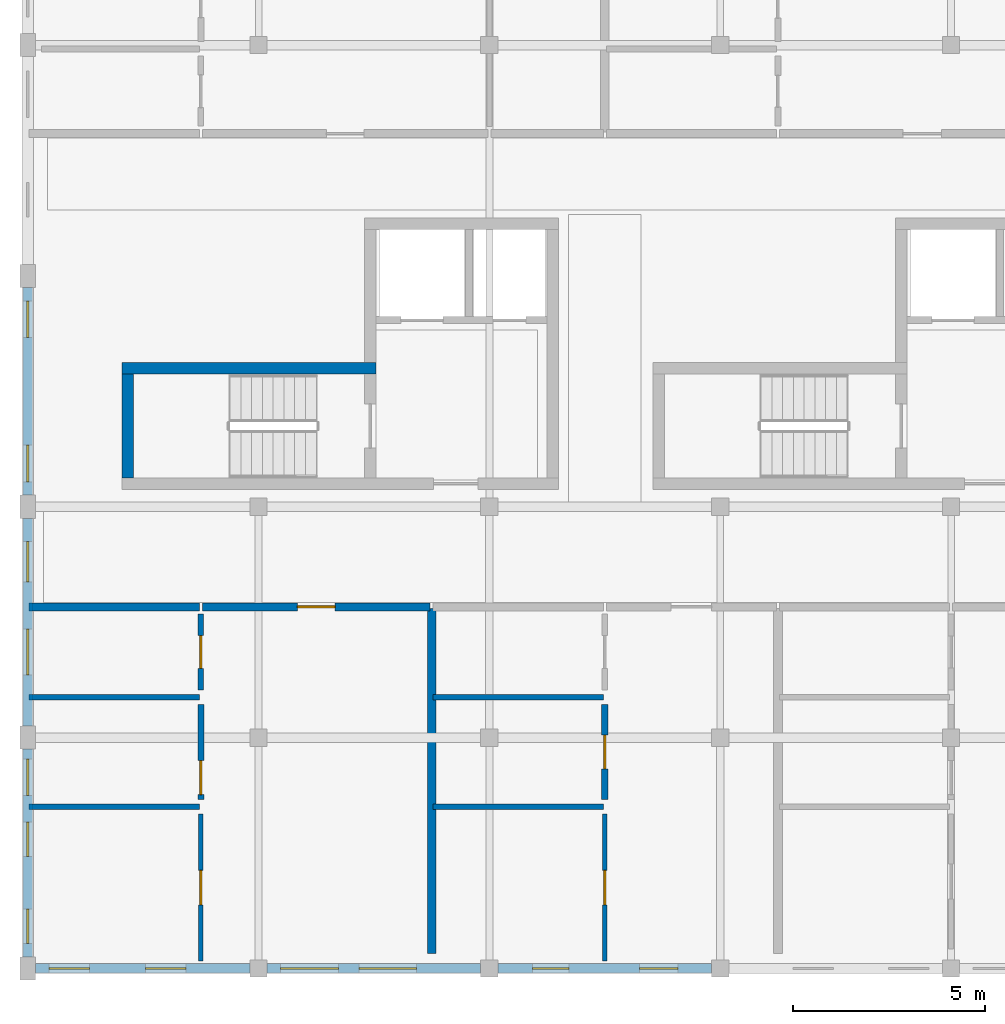
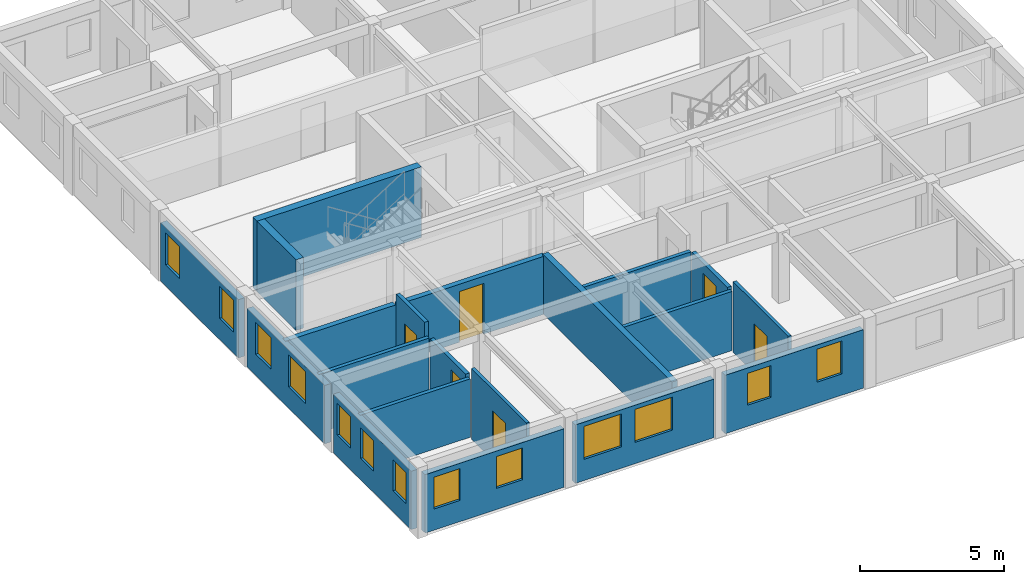
# One storey, part 2 of 9: 20 walls, 13 windows, 6 doors, 19 openings.
"""IFC4 building model written with IfcOpenShell, lengths in metres."""

from ifc_helpers import new_model, si_unit, direction, frame, frame_2d, origin, place, context, subcontext, project, spatial, rectangle, extrude, material, layer, layer_set, type_object, element, fill, save


model = new_model("IFC4")

# Units and contexts
model_context = context("Model", 3, precision=1e-05, world=origin(), true_north=direction((0.0, 1.0)))
body_context = subcontext(model_context, "Body", "Model", "MODEL_VIEW")
ifc_project = project(units=[si_unit("LENGTHUNIT", "METRE"), si_unit("AREAUNIT", "SQUARE_METRE"), si_unit("VOLUMEUNIT", "CUBIC_METRE"), si_unit("PLANEANGLEUNIT", "RADIAN"), si_unit("MASSUNIT", "GRAM", prefix="KILO"), si_unit("POWERUNIT", "WATT"), si_unit("THERMODYNAMICTEMPERATUREUNIT", "KELVIN")], contexts=[model_context])

# Site, building, storey
site_placement = place(None, origin())
site = spatial("IfcSite", under=ifc_project, at=site_placement, CompositionType="ELEMENT")
building_placement = place(site_placement, origin())
building = spatial("IfcBuilding", under=site, at=building_placement, Name="Ruvembo Vaulted Housing Court", CompositionType="ELEMENT")
storey_placement = place(building_placement, frame((0.0, 0.0, 36.5)))
storey = spatial("IfcBuildingStorey", under=building, at=storey_placement, Name="L11", CompositionType="ELEMENT", Elevation=36.5)

# Walls
ifc_material_1 = material(Name="Concrete C35/45", Category="concrete")
ifc_layer_1 = layer(ifc_material_1, 0.300048828125, Name="Concrete C35/45")
ifc_layer_set_1 = layer_set([ifc_layer_1], Name="Concrete C35/45")
wall_type_1 = type_object("IfcWallType", Name="WL-CORE-300", PredefinedType="SHEAR", material=ifc_layer_set_1)
wall_1_placement = place(storey_placement, frame((9.050048828125, 21.60009765625, 0.0), z_axis=(0.0, 0.0, 1.0), x_axis=(-1.0, 0.0, 0.0)))
element("IfcWall", 1, at=wall_1_placement, inside=storey, type_object=wall_type_1, Name="Core A1 L11 Stair North Shear Wall", PredefinedType="SHEAR", context=body_context, shape_type="SweptSolid", body=[
    extrude(rectangle(XDim=6.60009765625, YDim=0.300048828125, at=frame_2d((3.300048828125, 0.0))), origin(), (0.0, 0.0, 1.0), 2.9951171875),
])
wall_2_placement = place(storey_placement, frame((2.60009765625, 21.449951171875, 0.0), z_axis=(0.0, 0.0, 1.0), x_axis=(0.0, -1.0, 0.0)))
element("IfcWall", 2, at=wall_2_placement, inside=storey, type_object=wall_type_1, Name="Core A1 L11 Stair West Shear Wall", PredefinedType="SHEAR", context=body_context, shape_type="SweptSolid", body=[
    extrude(rectangle(XDim=2.699951171875, YDim=0.300048828125, at=frame_2d((1.35009765625, 0.0))), origin(), (0.0, 0.0, 1.0), 2.9951171875),
])
ifc_material_2 = material(Name="Concrete Blockwork 210", Category="masonry")
ifc_layer_2 = layer(ifc_material_2, 0.2099609375, Name="Concrete Blockwork 210")
ifc_layer_set_2 = layer_set([ifc_layer_2], Name="Concrete Blockwork 210")
wall_type_2 = type_object("IfcWallType", Name="WL-CORR-210", PredefinedType="SOLIDWALL", material=ifc_layer_set_2)
wall_3_placement = place(storey_placement, frame((0.0400390625, 15.39990234375, 0.0), z_axis=(0.0, 0.0, 1.0), x_axis=(1.0, 0.0, 0.0)))
element("IfcWall", 3, at=wall_3_placement, inside=storey, type_object=wall_type_2, Name="L11 Flat A-L11-S1 Corridor Wall WL-INT-L11-02265", PredefinedType="SOLIDWALL", context=body_context, shape_type="SweptSolid", body=[
    extrude(rectangle(XDim=4.419921875, YDim=0.2099609375, at=frame_2d((2.2099609375, 0.0))), origin(), (0.0, 0.0, 1.0), 2.47705078125),
])

# Wall, opening, door
wall_4_placement = place(storey_placement, frame((4.5400390625, 15.39990234375, 0.0), z_axis=(0.0, 0.0, 1.0), x_axis=(1.0, 0.0, 0.0)))
wall_4 = element("IfcWall", 4, at=wall_4_placement, inside=storey, type_object=wall_type_2, Name="L11 Flat A-L11-S1 Entrance WL-INT-L11-02266", PredefinedType="SOLIDWALL", context=body_context, shape_type="SweptSolid", body=[
    extrude(rectangle(XDim=5.919921875, YDim=0.2099609375, at=frame_2d((2.9599609375, 0.0))), origin(), (0.0, 0.0, 1.0), 2.4580078125),
])
opening_1_placement = place(wall_4_placement, frame((2.469970703125, 0.0, 0.0)))
opening_1 = element("IfcOpeningElement", 5, at=opening_1_placement, cuts=wall_4, Name="Opening FD2", PredefinedType="OPENING", context=body_context, shape_type="SweptSolid", body=[
    extrude(rectangle(XDim=0.97998046875, YDim=2.14990234375, at=frame_2d((0.489990234375, 1.074951171875))), frame((0.0, 0.114990234375, 0.0), z_axis=(0.0, -1.0, 0.0), x_axis=(1.0, 0.0, 0.0)), (0.0, 0.0, 1.0), 0.22998046875),
])
ifc_material_3 = material(Name="FSC Hardwood and Engineered Timber", Category="wood")
door_type_1 = type_object("IfcDoorType", Name="DR-FLAT-0980x2150", OperationType="NOTDEFINED", PredefinedType="DOOR", material=ifc_material_3)
door_1_placement = place(opening_1_placement, origin())
door_1 = element("IfcDoor", 6, at=door_1_placement, inside=storey, type_object=door_type_1, Name="L11 Flat A-L11-S1 Entrance Door DR-INT-L11-01255", OperationType="SINGLE_SWING_LEFT", OverallHeight=2.14990234375, OverallWidth=0.97998046875, PredefinedType="DOOR", context=body_context, shape_type="SweptSolid", body=[
    extrude(rectangle(XDim=0.97998046875, YDim=2.14990234375, at=frame_2d((0.489990234375, 1.074951171875))), frame((0.0, 0.02490234375, 0.0), z_axis=(0.0, -1.0, 0.0), x_axis=(1.0, 0.0, 0.0)), (0.0, 0.0, 1.0), 0.050048828125),
])
fill(opening_1, door_1)

# Wall
ifc_material_4 = material(Name="Acoustic Masonry Demising 230", Category="masonry")
ifc_layer_3 = layer(ifc_material_4, 0.22998046875, Name="Acoustic Masonry Demising 230")
ifc_layer_set_3 = layer_set([ifc_layer_3], Name="Acoustic Masonry Demising 230")
wall_type_3 = type_object("IfcWallType", Name="WL-DEM-230", PredefinedType="SOLIDWALL", material=ifc_layer_set_3)
wall_5_placement = place(storey_placement, frame((10.5, 6.389892578125, 0.0), z_axis=(0.0, 0.0, 1.0), x_axis=(0.0, 1.0, 0.0)))
element("IfcWall", 7, at=wall_5_placement, inside=storey, type_object=wall_type_3, Name="L11 Demising A-L11-S1 WL-INT-L11-02264", PredefinedType="SOLIDWALL", context=body_context, shape_type="SweptSolid", body=[
    extrude(rectangle(XDim=8.97021484375, YDim=0.22998046875, at=frame_2d((4.485107421875, 0.0))), origin(), (0.0, 0.0, 1.0), 2.527099609375),
])

# Wall, openings, windows
ifc_material_5 = material(Name="Rendered Masonry 245", Category="masonry")
ifc_layer_4 = layer(ifc_material_5, 0.2451171875, Name="Rendered Masonry 245")
ifc_layer_set_4 = layer_set([ifc_layer_4], Name="Rendered Masonry 245")
wall_type_4 = type_object("IfcWallType", Name="WL-EXT-245", PredefinedType="STANDARD", material=ifc_layer_set_4)
wall_6_placement = place(storey_placement, frame((0.199951171875, 6.0, 0.0), z_axis=(0.0, 0.0, 1.0), x_axis=(1.0, 0.0, 0.0)))
wall_6 = element("IfcWall", 8, at=wall_6_placement, inside=storey, type_object=wall_type_4, Name="Block A L11 Exterior Wall STREET #1", PredefinedType="STANDARD", context=body_context, shape_type="SweptSolid", body=[
    extrude(rectangle(XDim=5.574951171875, YDim=0.2451171875, at=frame_2d((2.78759765625, 0.0))), origin(), (0.0, 0.0, 1.0), 2.47705078125),
])
opening_2_placement = place(wall_6_placement, frame((0.35009765625, 0.0, 0.89990234375)))
opening_2 = element("IfcOpeningElement", 9, at=opening_2_placement, cuts=wall_6, Name="Opening W09", PredefinedType="OPENING", context=body_context, shape_type="SweptSolid", body=[
    extrude(rectangle(XDim=1.050048828125, YDim=1.35009765625, at=frame_2d((0.52490234375, 0.675048828125))), frame((0.0, 0.132568359375, 0.0), z_axis=(0.0, -1.0, 0.0), x_axis=(1.0, 0.0, 0.0)), (0.0, 0.0, 1.0), 0.26513671875),
])
opening_3_placement = place(wall_6_placement, frame((2.860107421875, 0.0, 0.89990234375)))
opening_3 = element("IfcOpeningElement", 10, at=opening_3_placement, cuts=wall_6, Name="Opening W09", PredefinedType="OPENING", context=body_context, shape_type="SweptSolid", body=[
    extrude(rectangle(XDim=1.050048828125, YDim=1.35009765625, at=frame_2d((0.52490234375, 0.675048828125))), frame((0.0, 0.132568359375, 0.0), z_axis=(0.0, -1.0, 0.0), x_axis=(1.0, 0.0, 0.0)), (0.0, 0.0, 1.0), 0.26513671875),
])
ifc_material_6 = material(Name="Double Solar-Control Glazing in Aluminium Frame", Category="aluminium")
window_type_1 = type_object("IfcWindowType", Name="WIN-1050x1350", PartitioningType="SINGLE_PANEL", PredefinedType="WINDOW", material=ifc_material_6)
window_1_placement = place(opening_2_placement, origin())
window_1 = element("IfcWindow", 11, at=window_1_placement, inside=storey, type_object=window_type_1, Name="Block A L11 Window #471", OverallHeight=1.35009765625, OverallWidth=1.050048828125, PartitioningType="SINGLE_PANEL", PredefinedType="WINDOW", context=body_context, shape_type="SweptSolid", body=[
    extrude(rectangle(XDim=1.050048828125, YDim=1.35009765625, at=frame_2d((0.52490234375, 0.675048828125))), frame((0.0, 0.030029296875, 0.0), z_axis=(0.0, -1.0, 0.0), x_axis=(1.0, 0.0, 0.0)), (0.0, 0.0, 1.0), 0.06005859375),
])
fill(opening_2, window_1)
window_2_placement = place(opening_3_placement, origin())
window_2 = element("IfcWindow", 12, at=window_2_placement, inside=storey, type_object=window_type_1, Name="Block A L11 Window #472", OverallHeight=1.35009765625, OverallWidth=1.050048828125, PartitioningType="SINGLE_PANEL", PredefinedType="WINDOW", context=body_context, shape_type="SweptSolid", body=[
    extrude(rectangle(XDim=1.050048828125, YDim=1.35009765625, at=frame_2d((0.52490234375, 0.675048828125))), frame((0.0, 0.030029296875, 0.0), z_axis=(0.0, -1.0, 0.0), x_axis=(1.0, 0.0, 0.0)), (0.0, 0.0, 1.0), 0.06005859375),
])
fill(opening_3, window_2)

wall_7_placement = place(storey_placement, frame((6.22509765625, 6.0, 0.0), z_axis=(0.0, 0.0, 1.0), x_axis=(1.0, 0.0, 0.0)))
wall_7 = element("IfcWall", 13, at=wall_7_placement, inside=storey, type_object=wall_type_4, Name="Block A L11 Exterior Wall STREET #2", PredefinedType="STANDARD", context=body_context, shape_type="SweptSolid", body=[
    extrude(rectangle(XDim=5.5498046875, YDim=0.2451171875, at=frame_2d((2.77490234375, 0.0))), origin(), (0.0, 0.0, 1.0), 2.47705078125),
])
opening_4_placement = place(wall_7_placement, frame((0.35009765625, 0.0, 0.89990234375)))
opening_4 = element("IfcOpeningElement", 14, at=opening_4_placement, cuts=wall_7, Name="Opening W18", PredefinedType="OPENING", context=body_context, shape_type="SweptSolid", body=[
    extrude(rectangle(XDim=1.5, YDim=1.39990234375, at=frame_2d((0.75, 0.699951171875))), frame((0.0, 0.132568359375, 0.0), z_axis=(0.0, -1.0, 0.0), x_axis=(1.0, 0.0, 0.0)), (0.0, 0.0, 1.0), 0.26513671875),
])
opening_5_placement = place(wall_7_placement, frame((2.385009765625, 0.0, 0.89990234375)))
opening_5 = element("IfcOpeningElement", 15, at=opening_5_placement, cuts=wall_7, Name="Opening W18", PredefinedType="OPENING", context=body_context, shape_type="SweptSolid", body=[
    extrude(rectangle(XDim=1.5, YDim=1.39990234375, at=frame_2d((0.75, 0.699951171875))), frame((0.0, 0.132568359375, 0.0), z_axis=(0.0, -1.0, 0.0), x_axis=(1.0, 0.0, 0.0)), (0.0, 0.0, 1.0), 0.26513671875),
])
window_type_2 = type_object("IfcWindowType", Name="WIN-1500x1400", PartitioningType="SINGLE_PANEL", PredefinedType="WINDOW", material=ifc_material_6)
window_3_placement = place(opening_4_placement, origin())
window_3 = element("IfcWindow", 16, at=window_3_placement, inside=storey, type_object=window_type_2, Name="Block A L11 Window #473", OverallHeight=1.39990234375, OverallWidth=1.5, PartitioningType="SINGLE_PANEL", PredefinedType="WINDOW", context=body_context, shape_type="SweptSolid", body=[
    extrude(rectangle(XDim=1.5, YDim=1.39990234375, at=frame_2d((0.75, 0.699951171875))), frame((0.0, 0.030029296875, 0.0), z_axis=(0.0, -1.0, 0.0), x_axis=(1.0, 0.0, 0.0)), (0.0, 0.0, 1.0), 0.06005859375),
])
fill(opening_4, window_3)
window_4_placement = place(opening_5_placement, origin())
window_4 = element("IfcWindow", 17, at=window_4_placement, inside=storey, type_object=window_type_2, Name="Block A L11 Window #474", OverallHeight=1.39990234375, OverallWidth=1.5, PartitioningType="SINGLE_PANEL", PredefinedType="WINDOW", context=body_context, shape_type="SweptSolid", body=[
    extrude(rectangle(XDim=1.5, YDim=1.39990234375, at=frame_2d((0.75, 0.699951171875))), frame((0.0, 0.030029296875, 0.0), z_axis=(0.0, -1.0, 0.0), x_axis=(1.0, 0.0, 0.0)), (0.0, 0.0, 1.0), 0.06005859375),
])
fill(opening_5, window_4)

wall_8_placement = place(storey_placement, frame((12.22509765625, 6.0, 0.0), z_axis=(0.0, 0.0, 1.0), x_axis=(1.0, 0.0, 0.0)))
wall_8 = element("IfcWall", 18, at=wall_8_placement, inside=storey, type_object=wall_type_4, Name="Block A L11 Exterior Wall STREET #3", PredefinedType="STANDARD", context=body_context, shape_type="SweptSolid", body=[
    extrude(rectangle(XDim=5.5498046875, YDim=0.2451171875, at=frame_2d((2.77490234375, 0.0))), origin(), (0.0, 0.0, 1.0), 2.47705078125),
])
opening_6_placement = place(wall_8_placement, frame((0.892578125, 0.0, 0.89990234375)))
opening_6 = element("IfcOpeningElement", 19, at=opening_6_placement, cuts=wall_8, Name="Opening W07", PredefinedType="OPENING", context=body_context, shape_type="SweptSolid", body=[
    extrude(rectangle(XDim=0.949951171875, YDim=1.35009765625, at=frame_2d((0.47509765625, 0.675048828125))), frame((0.0, 0.132568359375, 0.0), z_axis=(0.0, -1.0, 0.0), x_axis=(1.0, 0.0, 0.0)), (0.0, 0.0, 1.0), 0.26513671875),
])
opening_7_placement = place(wall_8_placement, frame((3.6826171875, 0.0, 0.89990234375)))
opening_7 = element("IfcOpeningElement", 20, at=opening_7_placement, cuts=wall_8, Name="Opening W08", PredefinedType="OPENING", context=body_context, shape_type="SweptSolid", body=[
    extrude(rectangle(XDim=1.0, YDim=1.39990234375, at=frame_2d((0.5, 0.699951171875))), frame((0.0, 0.132568359375, 0.0), z_axis=(0.0, -1.0, 0.0), x_axis=(1.0, 0.0, 0.0)), (0.0, 0.0, 1.0), 0.26513671875),
])
window_type_3 = type_object("IfcWindowType", Name="WIN-0950x1350", PartitioningType="SINGLE_PANEL", PredefinedType="WINDOW", material=ifc_material_6)
window_5_placement = place(opening_6_placement, origin())
window_5 = element("IfcWindow", 21, at=window_5_placement, inside=storey, type_object=window_type_3, Name="Block A L11 Window #475", OverallHeight=1.35009765625, OverallWidth=0.949951171875, PartitioningType="SINGLE_PANEL", PredefinedType="WINDOW", context=body_context, shape_type="SweptSolid", body=[
    extrude(rectangle(XDim=0.949951171875, YDim=1.35009765625, at=frame_2d((0.47509765625, 0.675048828125))), frame((0.0, 0.030029296875, 0.0), z_axis=(0.0, -1.0, 0.0), x_axis=(1.0, 0.0, 0.0)), (0.0, 0.0, 1.0), 0.06005859375),
])
fill(opening_6, window_5)
window_type_4 = type_object("IfcWindowType", Name="WIN-1000x1400", PartitioningType="SINGLE_PANEL", PredefinedType="WINDOW", material=ifc_material_6)
window_6_placement = place(opening_7_placement, origin())
window_6 = element("IfcWindow", 22, at=window_6_placement, inside=storey, type_object=window_type_4, Name="Block A L11 Window #476", OverallHeight=1.39990234375, OverallWidth=1.0, PartitioningType="SINGLE_PANEL", PredefinedType="WINDOW", context=body_context, shape_type="SweptSolid", body=[
    extrude(rectangle(XDim=1.0, YDim=1.39990234375, at=frame_2d((0.5, 0.699951171875))), frame((0.0, 0.030029296875, 0.0), z_axis=(0.0, -1.0, 0.0), x_axis=(1.0, 0.0, 0.0)), (0.0, 0.0, 1.0), 0.06005859375),
])
fill(opening_7, window_6)

wall_9_placement = place(storey_placement, frame((0.0, 23.699951171875, 0.0), z_axis=(0.0, 0.0, 1.0), x_axis=(0.0, -1.0, 0.0)))
wall_9 = element("IfcWall", 23, at=wall_9_placement, inside=storey, type_object=wall_type_4, Name="Block A L11 Exterior Wall WEST #3", PredefinedType="STANDARD", context=body_context, shape_type="SweptSolid", body=[
    extrude(rectangle(XDim=5.39990234375, YDim=0.2451171875, at=frame_2d((2.699951171875, 0.0))), origin(), (0.0, 0.0, 1.0), 2.47705078125),
])
opening_8_placement = place(wall_9_placement, frame((0.35009765625, 0.0, 0.89990234375)))
opening_8 = element("IfcOpeningElement", 24, at=opening_8_placement, cuts=wall_9, Name="Opening W07", PredefinedType="OPENING", context=body_context, shape_type="SweptSolid", body=[
    extrude(rectangle(XDim=0.949951171875, YDim=1.35009765625, at=frame_2d((0.47509765625, 0.675048828125))), frame((0.0, 0.132568359375, 0.0), z_axis=(0.0, -1.0, 0.0), x_axis=(1.0, 0.0, 0.0)), (0.0, 0.0, 1.0), 0.26513671875),
])
opening_9_placement = place(wall_9_placement, frame((4.10009765625, 0.0, 0.89990234375)))
opening_9 = element("IfcOpeningElement", 25, at=opening_9_placement, cuts=wall_9, Name="Opening W07", PredefinedType="OPENING", context=body_context, shape_type="SweptSolid", body=[
    extrude(rectangle(XDim=0.949951171875, YDim=1.35009765625, at=frame_2d((0.47509765625, 0.675048828125))), frame((0.0, 0.132568359375, 0.0), z_axis=(0.0, -1.0, 0.0), x_axis=(1.0, 0.0, 0.0)), (0.0, 0.0, 1.0), 0.26513671875),
])
window_7_placement = place(opening_8_placement, origin())
window_7 = element("IfcWindow", 26, at=window_7_placement, inside=storey, type_object=window_type_3, Name="Block A L11 Window #505", OverallHeight=1.35009765625, OverallWidth=0.949951171875, PartitioningType="SINGLE_PANEL", PredefinedType="WINDOW", context=body_context, shape_type="SweptSolid", body=[
    extrude(rectangle(XDim=0.949951171875, YDim=1.35009765625, at=frame_2d((0.47509765625, 0.675048828125))), frame((0.0, 0.030029296875, 0.0), z_axis=(0.0, -1.0, 0.0), x_axis=(1.0, 0.0, 0.0)), (0.0, 0.0, 1.0), 0.06005859375),
])
fill(opening_8, window_7)
window_8_placement = place(opening_9_placement, origin())
window_8 = element("IfcWindow", 27, at=window_8_placement, inside=storey, type_object=window_type_3, Name="Block A L11 Window #506", OverallHeight=1.35009765625, OverallWidth=0.949951171875, PartitioningType="SINGLE_PANEL", PredefinedType="WINDOW", context=body_context, shape_type="SweptSolid", body=[
    extrude(rectangle(XDim=0.949951171875, YDim=1.35009765625, at=frame_2d((0.47509765625, 0.675048828125))), frame((0.0, 0.030029296875, 0.0), z_axis=(0.0, -1.0, 0.0), x_axis=(1.0, 0.0, 0.0)), (0.0, 0.0, 1.0), 0.06005859375),
])
fill(opening_9, window_8)

wall_10_placement = place(storey_placement, frame((0.0, 17.699951171875, 0.0), z_axis=(0.0, 0.0, 1.0), x_axis=(0.0, -1.0, 0.0)))
wall_10 = element("IfcWall", 28, at=wall_10_placement, inside=storey, type_object=wall_type_4, Name="Block A L11 Exterior Wall WEST #4", PredefinedType="STANDARD", context=body_context, shape_type="SweptSolid", body=[
    extrude(rectangle(XDim=5.39990234375, YDim=0.2451171875, at=frame_2d((2.699951171875, 0.0))), origin(), (0.0, 0.0, 1.0), 2.47705078125),
])
opening_10_placement = place(wall_10_placement, frame((0.60498046875, 0.0, 0.89990234375)))
opening_10 = element("IfcOpeningElement", 29, at=opening_10_placement, cuts=wall_10, Name="Opening W09", PredefinedType="OPENING", context=body_context, shape_type="SweptSolid", body=[
    extrude(rectangle(XDim=1.050048828125, YDim=1.35009765625, at=frame_2d((0.52490234375, 0.675048828125))), frame((0.0, 0.132568359375, 0.0), z_axis=(0.0, -1.0, 0.0), x_axis=(1.0, 0.0, 0.0)), (0.0, 0.0, 1.0), 0.26513671875),
])
opening_11_placement = place(wall_10_placement, frame((2.875, 0.0, 0.89990234375)))
opening_11 = element("IfcOpeningElement", 30, at=opening_11_placement, cuts=wall_10, Name="Opening W12", PredefinedType="OPENING", context=body_context, shape_type="SweptSolid", body=[
    extrude(rectangle(XDim=1.199951171875, YDim=1.35009765625, at=frame_2d((0.60009765625, 0.675048828125))), frame((0.0, 0.132568359375, 0.0), z_axis=(0.0, -1.0, 0.0), x_axis=(1.0, 0.0, 0.0)), (0.0, 0.0, 1.0), 0.26513671875),
])
window_9_placement = place(opening_10_placement, origin())
window_9 = element("IfcWindow", 31, at=window_9_placement, inside=storey, type_object=window_type_1, Name="Block A L11 Window #507", OverallHeight=1.35009765625, OverallWidth=1.050048828125, PartitioningType="SINGLE_PANEL", PredefinedType="WINDOW", context=body_context, shape_type="SweptSolid", body=[
    extrude(rectangle(XDim=1.050048828125, YDim=1.35009765625, at=frame_2d((0.52490234375, 0.675048828125))), frame((0.0, 0.030029296875, 0.0), z_axis=(0.0, -1.0, 0.0), x_axis=(1.0, 0.0, 0.0)), (0.0, 0.0, 1.0), 0.06005859375),
])
fill(opening_10, window_9)
window_type_5 = type_object("IfcWindowType", Name="WIN-1200x1350", PartitioningType="SINGLE_PANEL", PredefinedType="WINDOW", material=ifc_material_6)
window_10_placement = place(opening_11_placement, origin())
window_10 = element("IfcWindow", 32, at=window_10_placement, inside=storey, type_object=window_type_5, Name="Block A L11 Window #508", OverallHeight=1.35009765625, OverallWidth=1.199951171875, PartitioningType="SINGLE_PANEL", PredefinedType="WINDOW", context=body_context, shape_type="SweptSolid", body=[
    extrude(rectangle(XDim=1.199951171875, YDim=1.35009765625, at=frame_2d((0.60009765625, 0.675048828125))), frame((0.0, 0.030029296875, 0.0), z_axis=(0.0, -1.0, 0.0), x_axis=(1.0, 0.0, 0.0)), (0.0, 0.0, 1.0), 0.06005859375),
])
fill(opening_11, window_10)

wall_11_placement = place(storey_placement, frame((0.0, 11.699951171875, 0.0), z_axis=(0.0, 0.0, 1.0), x_axis=(0.0, -1.0, 0.0)))
wall_11 = element("IfcWall", 33, at=wall_11_placement, inside=storey, type_object=wall_type_4, Name="Block A L11 Exterior Wall WEST #5", PredefinedType="STANDARD", context=body_context, shape_type="SweptSolid", body=[
    extrude(rectangle(XDim=5.39990234375, YDim=0.2451171875, at=frame_2d((2.699951171875, 0.0))), origin(), (0.0, 0.0, 1.0), 2.47705078125),
])
opening_12_placement = place(wall_11_placement, frame((0.2548828125, 0.0, 0.89990234375)))
opening_12 = element("IfcOpeningElement", 34, at=opening_12_placement, cuts=wall_11, Name="Opening W07", PredefinedType="OPENING", context=body_context, shape_type="SweptSolid", body=[
    extrude(rectangle(XDim=0.949951171875, YDim=1.35009765625, at=frame_2d((0.47509765625, 0.675048828125))), frame((0.0, 0.132568359375, 0.0), z_axis=(0.0, -1.0, 0.0), x_axis=(1.0, 0.0, 0.0)), (0.0, 0.0, 1.0), 0.26513671875),
])
opening_13_placement = place(wall_11_placement, frame((1.889892578125, 0.0, 0.89990234375)))
opening_13 = element("IfcOpeningElement", 35, at=opening_13_placement, cuts=wall_11, Name="Opening W04", PredefinedType="OPENING", context=body_context, shape_type="SweptSolid", body=[
    extrude(rectangle(XDim=0.89990234375, YDim=1.300048828125, at=frame_2d((0.449951171875, 0.64990234375))), frame((0.0, 0.132568359375, 0.0), z_axis=(0.0, -1.0, 0.0), x_axis=(1.0, 0.0, 0.0)), (0.0, 0.0, 1.0), 0.26513671875),
])
opening_14_placement = place(wall_11_placement, frame((4.14990234375, 0.0, 0.89990234375)))
opening_14 = element("IfcOpeningElement", 36, at=opening_14_placement, cuts=wall_11, Name="Opening W04", PredefinedType="OPENING", context=body_context, shape_type="SweptSolid", body=[
    extrude(rectangle(XDim=0.89990234375, YDim=1.300048828125, at=frame_2d((0.449951171875, 0.64990234375))), frame((0.0, 0.132568359375, 0.0), z_axis=(0.0, -1.0, 0.0), x_axis=(1.0, 0.0, 0.0)), (0.0, 0.0, 1.0), 0.26513671875),
])
window_type_6 = type_object("IfcWindowType", Name="WIN-0900x1300", PartitioningType="SINGLE_PANEL", PredefinedType="WINDOW", material=ifc_material_6)
window_11_placement = place(opening_13_placement, origin())
window_11 = element("IfcWindow", 37, at=window_11_placement, inside=storey, type_object=window_type_6, Name="Block A L11 Window #510", OverallHeight=1.300048828125, OverallWidth=0.89990234375, PartitioningType="SINGLE_PANEL", PredefinedType="WINDOW", context=body_context, shape_type="SweptSolid", body=[
    extrude(rectangle(XDim=0.89990234375, YDim=1.300048828125, at=frame_2d((0.449951171875, 0.64990234375))), frame((0.0, 0.030029296875, 0.0), z_axis=(0.0, -1.0, 0.0), x_axis=(1.0, 0.0, 0.0)), (0.0, 0.0, 1.0), 0.06005859375),
])
fill(opening_13, window_11)
window_12_placement = place(opening_14_placement, origin())
window_12 = element("IfcWindow", 38, at=window_12_placement, inside=storey, type_object=window_type_6, Name="Block A L11 Window #511", OverallHeight=1.300048828125, OverallWidth=0.89990234375, PartitioningType="SINGLE_PANEL", PredefinedType="WINDOW", context=body_context, shape_type="SweptSolid", body=[
    extrude(rectangle(XDim=0.89990234375, YDim=1.300048828125, at=frame_2d((0.449951171875, 0.64990234375))), frame((0.0, 0.030029296875, 0.0), z_axis=(0.0, -1.0, 0.0), x_axis=(1.0, 0.0, 0.0)), (0.0, 0.0, 1.0), 0.06005859375),
])
fill(opening_14, window_12)
window_13_placement = place(opening_12_placement, origin())
window_13 = element("IfcWindow", 39, at=window_13_placement, inside=storey, type_object=window_type_3, Name="Block A L11 Window #509", OverallHeight=1.35009765625, OverallWidth=0.949951171875, PartitioningType="SINGLE_PANEL", PredefinedType="WINDOW", context=body_context, shape_type="SweptSolid", body=[
    extrude(rectangle(XDim=0.949951171875, YDim=1.35009765625, at=frame_2d((0.47509765625, 0.675048828125))), frame((0.0, 0.030029296875, 0.0), z_axis=(0.0, -1.0, 0.0), x_axis=(1.0, 0.0, 0.0)), (0.0, 0.0, 1.0), 0.06005859375),
])
fill(opening_12, window_13)

# Wall, opening, door
ifc_material_7 = material(Name="Plasterboard Stud Partition 125", Category="gypsum")
ifc_layer_5 = layer(ifc_material_7, 0.125, Name="Plasterboard Stud Partition 125")
ifc_layer_set_5 = layer_set([ifc_layer_5], Name="Plasterboard Stud Partition 125")
wall_type_5 = type_object("IfcWallType", Name="WL-PART-125", PredefinedType="PARTITIONING", material=ifc_layer_set_5)
wall_12_placement = place(storey_placement, frame((4.5, 6.18994140625, 0.0), z_axis=(0.0, 0.0, 1.0), x_axis=(0.0, 1.0, 0.0)))
wall_12 = element("IfcWall", 40, at=wall_12_placement, inside=storey, type_object=wall_type_5, Name="L11 Flat A-L11-S1 Bedroom 1 WL-INT-L11-02267", PredefinedType="PARTITIONING", context=body_context, shape_type="SweptSolid", body=[
    extrude(rectangle(XDim=3.820068359375, YDim=0.125, at=frame_2d((1.91015625, 0.0))), origin(), (0.0, 0.0, 1.0), 2.9951171875),
])
opening_15_placement = place(wall_12_placement, frame((1.4599609375, 0.0, 0.0)))
opening_15 = element("IfcOpeningElement", 41, at=opening_15_placement, cuts=wall_12, Name="Opening ID1", PredefinedType="OPENING", context=body_context, shape_type="SweptSolid", body=[
    extrude(rectangle(XDim=0.89990234375, YDim=2.10009765625, at=frame_2d((0.449951171875, 1.050048828125))), frame((0.0, 0.072509765625, 0.0), z_axis=(0.0, -1.0, 0.0), x_axis=(1.0, 0.0, 0.0)), (0.0, 0.0, 1.0), 0.14501953125),
])
door_type_2 = type_object("IfcDoorType", Name="DR-ROOM-0900x2100", OperationType="NOTDEFINED", PredefinedType="DOOR", material=ifc_material_3)
door_2_placement = place(opening_15_placement, origin())
door_2 = element("IfcDoor", 42, at=door_2_placement, inside=storey, type_object=door_type_2, Name="L11 Flat A-L11-S1 Bedroom 1 Door DR-INT-L11-01256", OperationType="SINGLE_SWING_RIGHT", OverallHeight=2.10009765625, OverallWidth=0.89990234375, PredefinedType="DOOR", context=body_context, shape_type="SweptSolid", body=[
    extrude(rectangle(XDim=0.89990234375, YDim=2.10009765625, at=frame_2d((0.449951171875, 1.050048828125))), frame((0.0, 0.02490234375, 0.0), z_axis=(0.0, -1.0, 0.0), x_axis=(1.0, 0.0, 0.0)), (0.0, 0.0, 1.0), 0.050048828125),
])
fill(opening_15, door_2)

wall_13_placement = place(storey_placement, frame((15.0, 6.18994140625, 0.0), z_axis=(0.0, 0.0, 1.0), x_axis=(0.0, 1.0, 0.0)))
wall_13 = element("IfcWall", 43, at=wall_13_placement, inside=storey, type_object=wall_type_5, Name="L11 Flat A-L11-S2 Bedroom 1 WL-INT-L11-02275", PredefinedType="PARTITIONING", context=body_context, shape_type="SweptSolid", body=[
    extrude(rectangle(XDim=3.820068359375, YDim=0.125, at=frame_2d((1.91015625, 0.0))), origin(), (0.0, 0.0, 1.0), 2.9951171875),
])
opening_16_placement = place(wall_13_placement, frame((1.4599609375, 0.0, 0.0)))
opening_16 = element("IfcOpeningElement", 44, at=opening_16_placement, cuts=wall_13, Name="Opening ID1", PredefinedType="OPENING", context=body_context, shape_type="SweptSolid", body=[
    extrude(rectangle(XDim=0.89990234375, YDim=2.10009765625, at=frame_2d((0.449951171875, 1.050048828125))), frame((0.0, 0.072509765625, 0.0), z_axis=(0.0, -1.0, 0.0), x_axis=(1.0, 0.0, 0.0)), (0.0, 0.0, 1.0), 0.14501953125),
])
door_3_placement = place(opening_16_placement, origin())
door_3 = element("IfcDoor", 45, at=door_3_placement, inside=storey, type_object=door_type_2, Name="L11 Flat A-L11-S2 Bedroom 1 Door DR-INT-L11-01260", OperationType="SINGLE_SWING_RIGHT", OverallHeight=2.10009765625, OverallWidth=0.89990234375, PredefinedType="DOOR", context=body_context, shape_type="SweptSolid", body=[
    extrude(rectangle(XDim=0.89990234375, YDim=2.10009765625, at=frame_2d((0.449951171875, 1.050048828125))), frame((0.0, 0.02490234375, 0.0), z_axis=(0.0, -1.0, 0.0), x_axis=(1.0, 0.0, 0.0)), (0.0, 0.0, 1.0), 0.050048828125),
])
fill(opening_16, door_3)

ifc_material_8 = material(Name="Moisture-Resistant Wet Partition 150", Category="gypsum")
ifc_layer_6 = layer(ifc_material_8, 0.14990234375, Name="Moisture-Resistant Wet Partition 150")
ifc_layer_set_6 = layer_set([ifc_layer_6], Name="Moisture-Resistant Wet Partition 150")
wall_type_6 = type_object("IfcWallType", Name="WL-PART-150", PredefinedType="PARTITIONING", material=ifc_layer_set_6)
wall_14_placement = place(storey_placement, frame((4.5, 13.239990234375, 0.0), z_axis=(0.0, 0.0, 1.0), x_axis=(0.0, 1.0, 0.0)))
wall_14 = element("IfcWall", 46, at=wall_14_placement, inside=storey, type_object=wall_type_6, Name="L11 Flat A-L11-S1 Bathroom WL-INT-L11-02269", PredefinedType="PARTITIONING", context=body_context, shape_type="SweptSolid", body=[
    extrude(rectangle(XDim=1.969970703125, YDim=0.14990234375, at=frame_2d((0.98486328125, 0.0))), origin(), (0.0, 0.0, 1.0), 2.9951171875),
])
opening_17_placement = place(wall_14_placement, frame((0.56005859375, 0.0, 0.0)))
opening_17 = element("IfcOpeningElement", 47, at=opening_17_placement, cuts=wall_14, Name="Opening ID2", PredefinedType="OPENING", context=body_context, shape_type="SweptSolid", body=[
    extrude(rectangle(XDim=0.85009765625, YDim=2.10009765625, at=frame_2d((0.425048828125, 1.050048828125))), frame((0.0, 0.0849609375, 0.0), z_axis=(0.0, -1.0, 0.0), x_axis=(1.0, 0.0, 0.0)), (0.0, 0.0, 1.0), 0.169921875),
])
door_type_3 = type_object("IfcDoorType", Name="DR-WET-0850x2100", OperationType="NOTDEFINED", PredefinedType="DOOR", material=ifc_material_3)
door_4_placement = place(opening_17_placement, origin())
door_4 = element("IfcDoor", 48, at=door_4_placement, inside=storey, type_object=door_type_3, Name="L11 Flat A-L11-S1 Bathroom Door DR-INT-L11-01258", OperationType="SINGLE_SWING_RIGHT", OverallHeight=2.10009765625, OverallWidth=0.85009765625, PredefinedType="DOOR", context=body_context, shape_type="SweptSolid", body=[
    extrude(rectangle(XDim=0.85009765625, YDim=2.10009765625, at=frame_2d((0.425048828125, 1.050048828125))), frame((0.0, 0.02490234375, 0.0), z_axis=(0.0, -1.0, 0.0), x_axis=(1.0, 0.0, 0.0)), (0.0, 0.0, 1.0), 0.050048828125),
])
fill(opening_17, door_4)

# Walls
for number, where, z_axis, x_axis, name in (
    (49, (0.0400390625, 10.199951171875, 0.0), (0.0, 0.0, 1.0), (1.0, 0.0, 0.0), "L11 Flat A-L11-S1 Wet Wall 1 WL-INT-L11-02270"),
    (50, (0.0400390625, 13.050048828125, 0.0), (0.0, 0.0, 1.0), (1.0, 0.0, 0.0), "L11 Flat A-L11-S1 Wet Wall 2 WL-INT-L11-02271"),
):
    element("IfcWall", number, at=place(storey_placement, frame(where, z_axis=z_axis, x_axis=x_axis)), inside=storey, type_object=wall_type_6, Name=name, PredefinedType="PARTITIONING", context=body_context, shape_type="SweptSolid", body=[
        extrude(rectangle(XDim=4.419921875, YDim=0.14990234375, at=frame_2d((2.2099609375, 0.0))), origin(), (0.0, 0.0, 1.0), 2.47705078125),
    ])
wall_15_placement = place(storey_placement, frame((10.5400390625, 10.199951171875, 0.0), z_axis=(0.0, 0.0, 1.0), x_axis=(1.0, 0.0, 0.0)))
element("IfcWall", 51, at=wall_15_placement, inside=storey, type_object=wall_type_6, Name="L11 Flat A-L11-S2 Wet Wall 1 WL-INT-L11-02278", PredefinedType="PARTITIONING", context=body_context, shape_type="SweptSolid", body=[
    extrude(rectangle(XDim=4.419921875, YDim=0.14990234375, at=frame_2d((2.2099609375, 0.0))), origin(), (0.0, 0.0, 1.0), 2.508056640625),
])
wall_16_placement = place(storey_placement, frame((10.5400390625, 13.050048828125, 0.0), z_axis=(0.0, 0.0, 1.0), x_axis=(1.0, 0.0, 0.0)))
element("IfcWall", 52, at=wall_16_placement, inside=storey, type_object=wall_type_6, Name="L11 Flat A-L11-S2 Wet Wall 2 WL-INT-L11-02279", PredefinedType="PARTITIONING", context=body_context, shape_type="SweptSolid", body=[
    extrude(rectangle(XDim=4.419921875, YDim=0.14990234375, at=frame_2d((2.2099609375, 0.0))), origin(), (0.0, 0.0, 1.0), 2.4580078125),
])

# Wall, opening, door
ifc_material_9 = material(Name="Acoustic Service Chase Wall 160", Category="gypsum")
ifc_layer_7 = layer(ifc_material_9, 0.159912109375, Name="Acoustic Service Chase Wall 160")
ifc_layer_set_7 = layer_set([ifc_layer_7], Name="Acoustic Service Chase Wall 160")
wall_type_7 = type_object("IfcWallType", Name="WL-PLUMB-160", PredefinedType="PLUMBINGWALL", material=ifc_layer_set_7)
wall_17_placement = place(storey_placement, frame((4.5, 10.389892578125, 0.0), z_axis=(0.0, 0.0, 1.0), x_axis=(0.0, 1.0, 0.0)))
wall_17 = element("IfcWall", 53, at=wall_17_placement, inside=storey, type_object=wall_type_7, Name="L11 Flat A-L11-S1 Kitchen WL-INT-L11-02268", PredefinedType="PLUMBINGWALL", context=body_context, shape_type="SweptSolid", body=[
    extrude(rectangle(XDim=2.47021484375, YDim=0.159912109375, at=frame_2d((1.235107421875, 0.0))), origin(), (0.0, 0.0, 1.0), 2.527099609375),
])
opening_18_placement = place(wall_17_placement, frame((0.1298828125, 0.0, 0.0)))
opening_18 = element("IfcOpeningElement", 54, at=opening_18_placement, cuts=wall_17, Name="Opening ID3", PredefinedType="OPENING", context=body_context, shape_type="SweptSolid", body=[
    extrude(rectangle(XDim=0.8798828125, YDim=2.10009765625, at=frame_2d((0.43994140625, 1.050048828125))), frame((0.0, 0.08984375, 0.0), z_axis=(0.0, -1.0, 0.0), x_axis=(1.0, 0.0, 0.0)), (0.0, 0.0, 1.0), 0.179931640625),
])
door_type_4 = type_object("IfcDoorType", Name="DR-ROOM-0880x2100", OperationType="NOTDEFINED", PredefinedType="DOOR", material=ifc_material_3)
door_5_placement = place(opening_18_placement, origin())
door_5 = element("IfcDoor", 55, at=door_5_placement, inside=storey, type_object=door_type_4, Name="L11 Flat A-L11-S1 Kitchen Door DR-INT-L11-01257", OperationType="SINGLE_SWING_LEFT", OverallHeight=2.10009765625, OverallWidth=0.8798828125, PredefinedType="DOOR", context=body_context, shape_type="SweptSolid", body=[
    extrude(rectangle(XDim=0.8798828125, YDim=2.10009765625, at=frame_2d((0.43994140625, 1.050048828125))), frame((0.0, 0.02490234375, 0.0), z_axis=(0.0, -1.0, 0.0), x_axis=(1.0, 0.0, 0.0)), (0.0, 0.0, 1.0), 0.050048828125),
])
fill(opening_18, door_5)

wall_18_placement = place(storey_placement, frame((15.0, 10.389892578125, 0.0), z_axis=(0.0, 0.0, 1.0), x_axis=(0.0, 1.0, 0.0)))
wall_18 = element("IfcWall", 56, at=wall_18_placement, inside=storey, type_object=wall_type_7, Name="L11 Flat A-L11-S2 Kitchen WL-INT-L11-02276", PredefinedType="PLUMBINGWALL", context=body_context, shape_type="SweptSolid", body=[
    extrude(rectangle(XDim=2.47021484375, YDim=0.159912109375, at=frame_2d((1.235107421875, 0.0))), origin(), (0.0, 0.0, 1.0), 2.527099609375),
])
opening_19_placement = place(wall_18_placement, frame((0.794921875, 0.0, 0.0)))
opening_19 = element("IfcOpeningElement", 57, at=opening_19_placement, cuts=wall_18, Name="Opening ID3", PredefinedType="OPENING", context=body_context, shape_type="SweptSolid", body=[
    extrude(rectangle(XDim=0.8798828125, YDim=2.10009765625, at=frame_2d((0.43994140625, 1.050048828125))), frame((0.0, 0.08984375, 0.0), z_axis=(0.0, -1.0, 0.0), x_axis=(1.0, 0.0, 0.0)), (0.0, 0.0, 1.0), 0.179931640625),
])
door_6_placement = place(opening_19_placement, origin())
door_6 = element("IfcDoor", 58, at=door_6_placement, inside=storey, type_object=door_type_4, Name="L11 Flat A-L11-S2 Kitchen Door DR-INT-L11-01261", OperationType="SINGLE_SWING_LEFT", OverallHeight=2.10009765625, OverallWidth=0.8798828125, PredefinedType="DOOR", context=body_context, shape_type="SweptSolid", body=[
    extrude(rectangle(XDim=0.8798828125, YDim=2.10009765625, at=frame_2d((0.43994140625, 1.050048828125))), frame((0.0, 0.02490234375, 0.0), z_axis=(0.0, -1.0, 0.0), x_axis=(1.0, 0.0, 0.0)), (0.0, 0.0, 1.0), 0.050048828125),
])
fill(opening_19, door_6)

save(model, "model.ifc")
